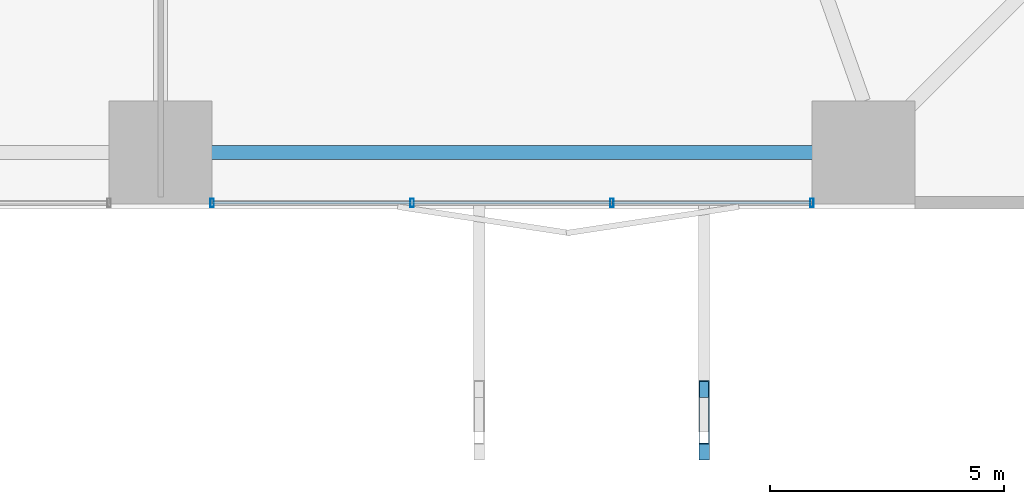
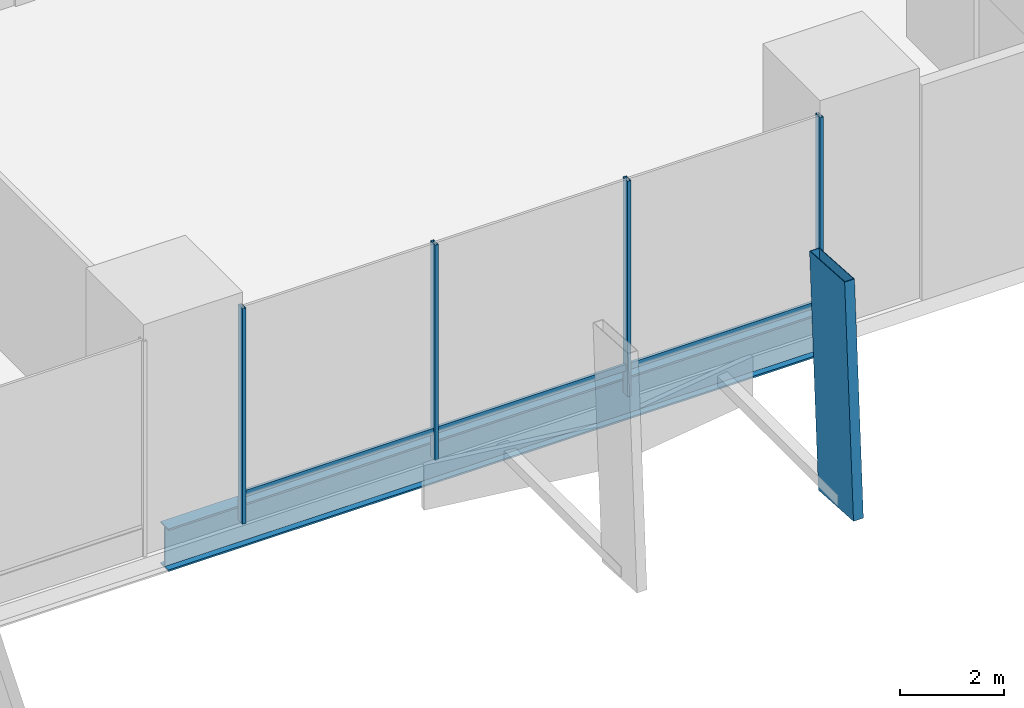
# One storey, part 6 of 24: 8 members, 1 beam, 1 element without a shape of its own.
"""IFC4 building model written with IfcOpenShell, lengths in metres."""

from ifc_helpers import new_model, si_unit, direction, frame, origin, origin_2d, place, context, subcontext, project, spatial, hollow_rectangle, i_section, extrude, material, layer, layer_set, material_profile, profile_set, type_object, element, aggregate, save


model = new_model("IFC4")

# Units and contexts
model_context = context("Model", 3, precision=1e-05, world=origin(), true_north=direction((0.0, 1.0)))
body_context = subcontext(model_context, "Body", "Model", "MODEL_VIEW")
ifc_project = project(units=[si_unit("LENGTHUNIT", "METRE"), si_unit("AREAUNIT", "SQUARE_METRE"), si_unit("VOLUMEUNIT", "CUBIC_METRE"), si_unit("PLANEANGLEUNIT", "RADIAN"), si_unit("MASSUNIT", "GRAM", prefix="KILO")], contexts=[model_context])

# Site, building, storey
site_placement = place(None, origin())
site = spatial("IfcSite", under=ifc_project, at=site_placement, CompositionType="ELEMENT")
building_placement = place(site_placement, origin())
building = spatial("IfcBuilding", under=site, at=building_placement, Name="Belovzor Exchange Tower", CompositionType="ELEMENT")
storey_placement = place(building_placement, frame((0.0, 0.0, 8.39990234375)))
storey = spatial("IfcBuildingStorey", under=building, at=storey_placement, Name="L02", CompositionType="ELEMENT", Elevation=8.39990234375)

# Member
ifc_material_1 = material(Name="Extruded Architectural Terracotta on Steel S355 Carrier", Category="masonry")
ifc_material_profile_1 = material_profile(ifc_material_1, hollow_rectangle(XDim=0.219970703125, YDim=1.35009765625, WallThickness=0.013916015625, at=origin_2d()))
ifc_profile_set_1 = profile_set([ifc_material_profile_1], Name="Extruded Architectural Terracotta on Steel S355 Carrier")
member_type_1 = type_object("IfcMemberType", Name="Base Arc Sweeping Terracotta Pylon Fin 1450", PredefinedType="USERDEFINED", material=ifc_profile_set_1)
member_1_placement = place(storey_placement, frame((40.39990234375, -4.0810546875, -0.349853515625), z_axis=(0.0, 0.063035616034, 0.998011278048), x_axis=(-1.0, 0.0, 0.0)))
element("IfcMember", 1, at=member_1_placement, inside=storey, type_object=member_type_1, Name="FIN-TC145 Terracotta Facade Fin L02 S4", ObjectType="FIN", PredefinedType="USERDEFINED", context=body_context, shape_type="SweptSolid", body=[
    extrude(hollow_rectangle(XDim=0.219970703125, YDim=1.35009765625, WallThickness=0.013916015625, at=origin_2d()), origin(), (0.0, 0.0, 1.0), 5.41064453125),
])

# Beam
ifc_material_2 = material(Name="Steel S460", Category="steel")
ifc_material_profile_2 = material_profile(ifc_material_2, i_section(OverallWidth=0.300048828125, OverallDepth=1.0, WebThickness=0.02099609375, FlangeThickness=0.0400390625, at=origin_2d()))
ifc_profile_set_2 = profile_set([ifc_material_profile_2], Name="Steel S460")
beam_type = type_object("IfcBeamType", Name="Podium Exchange Hall Ring Girder HEM 1000", PredefinedType="BEAM", material=ifc_profile_set_2)
beam_placement = place(storey_placement, frame((28.800048828125, 1.800048828125, -0.849853515625), z_axis=(1.0, 0.0, 0.0), x_axis=(0.0, 1.0, 0.0)))
element("IfcBeam", 2, at=beam_placement, inside=storey, type_object=beam_type, Name="PG-1 Podium Exchange Hall Ring Girder HEM 1000", PredefinedType="BEAM", context=body_context, shape_type="SweptSolid", body=[
    extrude(i_section(OverallWidth=0.300048828125, OverallDepth=1.0, WebThickness=0.02099609375, FlangeThickness=0.0400390625, at=origin_2d()), origin(), (0.0, 0.0, 1.0), 15.0),
])

# Curtain wall, members
ifc_material_3 = material(Name="Anodised Aluminium Framing", Category="aluminium")
ifc_layer = layer(ifc_material_3, 0.219970703125)
ifc_layer_set = layer_set([ifc_layer], Name="Anodised Aluminium Framing")
curtain_wall_type = type_object("IfcCurtainWallType", Name="Podium Clear-Span Exchange Hall Unitised Curtain Wall", PredefinedType="NOTDEFINED", material=ifc_layer_set)
curtain_wall_placement = place(storey_placement, origin())
curtain_wall = element("IfcCurtainWall", 3, at=curtain_wall_placement, inside=storey, type_object=curtain_wall_type, Name="CW1 Podium Clear-Span Exchange Hall Unitised Curtain Wall L02", PredefinedType="NOTDEFINED")
ifc_material_4 = material(Name="Steel S355", Category="steel")
ifc_material_profile_3 = material_profile(ifc_material_4, hollow_rectangle(XDim=0.074951171875, YDim=0.179931640625, WallThickness=0.0048828125, at=origin_2d()))
ifc_profile_set_3 = profile_set([ifc_material_profile_3], Name="Steel S355")
member_type_2 = type_object("IfcMemberType", Name="Thermally Broken Curtain Wall Mullion 180x75", PredefinedType="MULLION", material=ifc_profile_set_3)
member_2_placement = place(storey_placement, frame((42.699951171875, 0.72998046875, 0.0), z_axis=(0.0, 0.0, 1.0), x_axis=(-1.0, 0.0, 0.0)))
member_2 = element("IfcMember", 4, at=member_2_placement, type_object=member_type_2, Name="CW-M180 Curtain Wall Mullion 1", PredefinedType="MULLION", context=body_context, shape_type="SweptSolid", body=[
    extrude(hollow_rectangle(XDim=0.074951171875, YDim=0.179931640625, WallThickness=0.0048828125, at=origin_2d()), origin(), (0.0, 0.0, 1.0), 5.050048828125),
])
member_3_placement = place(storey_placement, frame((38.43310546875, 0.72998046875, 0.0), z_axis=(0.0, 0.0, 1.0), x_axis=(-1.0, 0.0, 0.0)))
member_3 = element("IfcMember", 5, at=member_3_placement, type_object=member_type_2, Name="CW-M180 Curtain Wall Mullion 2", PredefinedType="MULLION", context=body_context, shape_type="SweptSolid", body=[
    extrude(hollow_rectangle(XDim=0.074951171875, YDim=0.179931640625, WallThickness=0.0048828125, at=origin_2d()), origin(), (0.0, 0.0, 1.0), 5.050048828125),
])
member_4_placement = place(storey_placement, frame((34.1669921875, 0.72998046875, 0.0), z_axis=(0.0, 0.0, 1.0), x_axis=(-1.0, 0.0, 0.0)))
member_4 = element("IfcMember", 6, at=member_4_placement, type_object=member_type_2, Name="CW-M180 Curtain Wall Mullion 3", PredefinedType="MULLION", context=body_context, shape_type="SweptSolid", body=[
    extrude(hollow_rectangle(XDim=0.074951171875, YDim=0.179931640625, WallThickness=0.0048828125, at=origin_2d()), origin(), (0.0, 0.0, 1.0), 5.050048828125),
])
member_5_placement = place(storey_placement, frame((29.89990234375, 0.72998046875, 0.0), z_axis=(0.0, 0.0, 1.0), x_axis=(-1.0, 0.0, 0.0)))
member_5 = element("IfcMember", 7, at=member_5_placement, type_object=member_type_2, Name="CW-M180 Curtain Wall Mullion 4", PredefinedType="MULLION", context=body_context, shape_type="SweptSolid", body=[
    extrude(hollow_rectangle(XDim=0.074951171875, YDim=0.179931640625, WallThickness=0.0048828125, at=origin_2d()), origin(), (0.0, 0.0, 1.0), 5.050048828125),
])
ifc_material_5 = material(Name="Steel S355", Category="steel")
ifc_material_profile_4 = material_profile(ifc_material_5, hollow_rectangle(XDim=0.06005859375, YDim=0.14990234375, WallThickness=0.00390625, at=origin_2d()))
ifc_profile_set_4 = profile_set([ifc_material_profile_4], Name="Steel S355")
member_type_3 = type_object("IfcMemberType", Name="Thermally Broken Curtain Wall Transom 150x60", PredefinedType="USERDEFINED", material=ifc_profile_set_4)
member_6_placement = place(storey_placement, frame((42.69189453125, 0.72998046875, 0.650146484375), z_axis=(-1.0, 0.0, 0.0), x_axis=(0.0, -1.0, 0.0)))
member_6 = element("IfcMember", 8, at=member_6_placement, type_object=member_type_3, Name="CW-T150 Curtain Wall Transom 1", ObjectType="TRANSOM", PredefinedType="USERDEFINED", context=body_context, shape_type="SweptSolid", body=[
    extrude(hollow_rectangle(XDim=0.06005859375, YDim=0.14990234375, WallThickness=0.00390625, at=origin_2d()), origin(), (0.0, 0.0, 1.0), 4.2509765625),
])
member_7_placement = place(storey_placement, frame((38.425048828125, 0.72998046875, 0.650146484375), z_axis=(-1.0, 0.0, 0.0), x_axis=(0.0, -1.0, 0.0)))
member_7 = element("IfcMember", 9, at=member_7_placement, type_object=member_type_3, Name="CW-T150 Curtain Wall Transom 2", ObjectType="TRANSOM", PredefinedType="USERDEFINED", context=body_context, shape_type="SweptSolid", body=[
    extrude(hollow_rectangle(XDim=0.06005859375, YDim=0.14990234375, WallThickness=0.00390625, at=origin_2d()), origin(), (0.0, 0.0, 1.0), 4.25),
])
member_8_placement = place(storey_placement, frame((34.158935546875, 0.72998046875, 0.650146484375), z_axis=(-1.0, 0.0, 0.0), x_axis=(0.0, -1.0, 0.0)))
member_8 = element("IfcMember", 10, at=member_8_placement, type_object=member_type_3, Name="CW-T150 Curtain Wall Transom 3", ObjectType="TRANSOM", PredefinedType="USERDEFINED", context=body_context, shape_type="SweptSolid", body=[
    extrude(hollow_rectangle(XDim=0.06005859375, YDim=0.14990234375, WallThickness=0.00390625, at=origin_2d()), origin(), (0.0, 0.0, 1.0), 4.2509765625),
])
aggregate(curtain_wall, [member_2, member_3, member_4, member_5, member_6, member_7, member_8])

save(model, "model.ifc")
